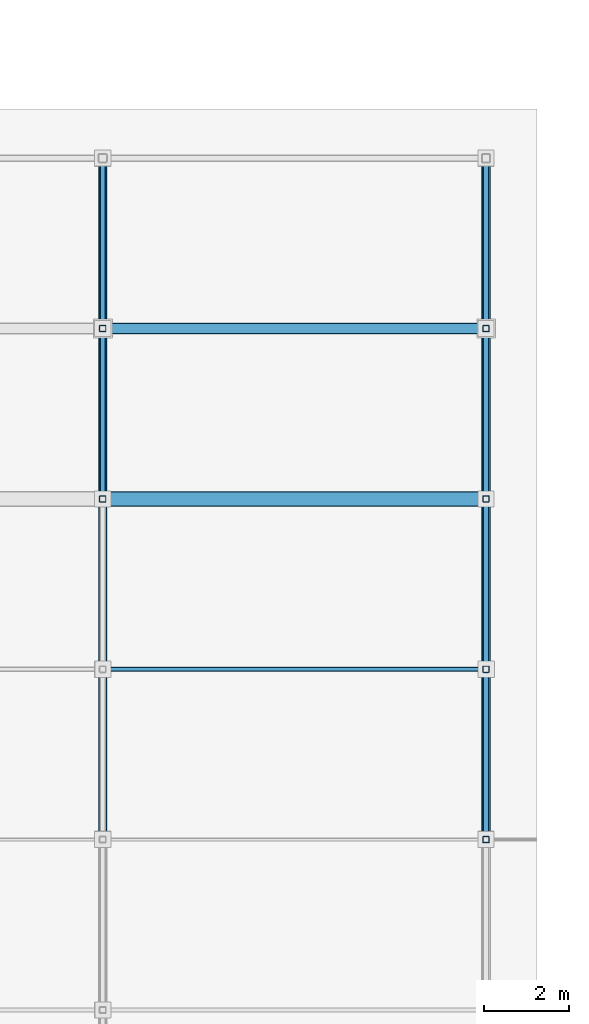
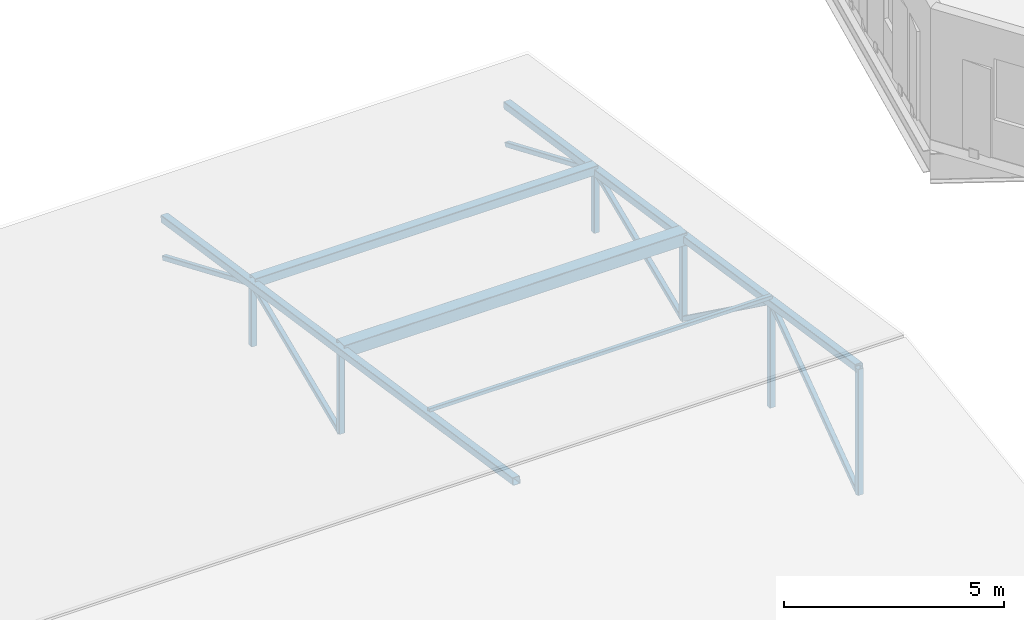
# One storey, part 22 of 118: 15 members, 2 beams.
"""IFC4 building model written with IfcOpenShell, lengths in metres."""

from ifc_helpers import new_model, si_unit, direction, frame, origin, origin_2d, place, context, subcontext, project, spatial, hollow_rectangle, extrude, material, material_profile, profile_set, type_object, element, save


model = new_model("IFC4")

# Units and contexts
model_context = context("Model", 3, precision=1e-05, world=origin(), true_north=direction((0.0, 1.0)))
body_context = subcontext(model_context, "Body", "Model", "MODEL_VIEW")
ifc_project = project(units=[si_unit("LENGTHUNIT", "METRE"), si_unit("AREAUNIT", "SQUARE_METRE"), si_unit("VOLUMEUNIT", "CUBIC_METRE"), si_unit("PLANEANGLEUNIT", "RADIAN"), si_unit("MASSUNIT", "GRAM", prefix="KILO"), si_unit("THERMODYNAMICTEMPERATUREUNIT", "KELVIN"), si_unit("POWERUNIT", "WATT")], contexts=[model_context])

# Site, building, storey
site_placement = place(None, origin())
site = spatial("IfcSite", under=ifc_project, at=site_placement, CompositionType="ELEMENT")
building_placement = place(site_placement, origin())
building = spatial("IfcBuilding", under=site, at=building_placement, Name="Zelmaris Science Centre", CompositionType="ELEMENT")
storey_placement = place(building_placement, frame((0.0, 0.0, 15.60009765625)))
storey = spatial("IfcBuildingStorey", under=building, at=storey_placement, Name="L03", CompositionType="ELEMENT", Elevation=15.60009765625)

# Beams
ifc_material = material(Name="Steel ASTM A500 Grade C", Category="steel")
ifc_material_profile_1 = material_profile(ifc_material, hollow_rectangle(XDim=0.203125, YDim=0.203125, WallThickness=0.01171875, InnerFilletRadius=0.01171875, OuterFilletRadius=0.023681640625, at=origin_2d()), Name="HSS203X203X13")
ifc_profile_set_1 = profile_set([ifc_material_profile_1], Name="Steel ASTM A500 Grade C")
beam_type = type_object("IfcBeamType", Name="Beam G-20 HSS203X203X13", PredefinedType="BEAM", material=ifc_profile_set_1)
for number, where, z_axis, x_axis, name in (
    (1, (45.0, 24.0, 3.3955078125), (0.0, 0.988937238327, -0.148334549755), (-1.0, 0.0, 0.0), "RF-V3 Roof truss 5 north top chord"),
    (2, (54.0, 24.0, 3.3955078125), (0.0, 0.988937238327, -0.148334549755), (-1.0, 0.0, 0.0), "RF-V3 Roof truss 6 north top chord"),
):
    element("IfcBeam", number, at=place(storey_placement, frame(where, z_axis=z_axis, x_axis=x_axis)), inside=storey, type_object=beam_type, Name=name, PredefinedType="BEAM", context=body_context, shape_type="SweptSolid", body=[
        extrude(hollow_rectangle(XDim=0.203125, YDim=0.203125, WallThickness=0.01171875, InnerFilletRadius=0.01171875, OuterFilletRadius=0.023681640625, at=origin_2d()), origin(), (0.0, 0.0, 1.0), 16.178955078125),
    ])

# Members
ifc_material_profile_2 = material_profile(ifc_material, hollow_rectangle(XDim=0.1015625, YDim=0.1015625, WallThickness=0.005859375, InnerFilletRadius=0.005859375, OuterFilletRadius=0.01171875, at=origin_2d()), Name="HSS102X102X6")
ifc_profile_set_2 = profile_set([ifc_material_profile_2], Name="Steel ASTM A500 Grade C")
member_type_1 = type_object("IfcMemberType", Name="Roof Purlin PR-07 HSS102X102X6", PredefinedType="PURLIN", material=ifc_profile_set_2)
member_1_placement = place(storey_placement, frame((45.0, 28.0, 2.94140625), z_axis=(1.0, 0.0, 0.0), x_axis=(0.0, 1.0, 0.0)))
element("IfcMember", 3, at=member_1_placement, inside=storey, type_object=member_type_1, Name="RF-V3 Roof purlin 42", PredefinedType="PURLIN", context=body_context, shape_type="SweptSolid", body=[
    extrude(hollow_rectangle(XDim=0.1015625, YDim=0.1015625, WallThickness=0.005859375, InnerFilletRadius=0.005859375, OuterFilletRadius=0.01171875, at=origin_2d()), origin(), (0.0, 0.0, 1.0), 9.0),
])
ifc_material_profile_3 = material_profile(ifc_material, hollow_rectangle(XDim=0.355712890625, YDim=0.355712890625, WallThickness=0.0146484375, InnerFilletRadius=0.0146484375, OuterFilletRadius=0.029296875, at=origin_2d()), Name="HSS356X356X16")
ifc_profile_set_3 = profile_set([ifc_material_profile_3], Name="Steel ASTM A500 Grade C")
member_type_2 = type_object("IfcMemberType", Name="Roof Purlin PR-08 HSS356X356X16", PredefinedType="PURLIN", material=ifc_profile_set_3)
member_2_placement = place(storey_placement, frame((45.0, 32.0, 2.21435546875), z_axis=(1.0, 0.0, 0.0), x_axis=(0.0, 1.0, 0.0)))
element("IfcMember", 4, at=member_2_placement, inside=storey, type_object=member_type_2, Name="RF-V3 Roof purlin 43", PredefinedType="PURLIN", context=body_context, shape_type="SweptSolid", body=[
    extrude(hollow_rectangle(XDim=0.355712890625, YDim=0.355712890625, WallThickness=0.0146484375, InnerFilletRadius=0.0146484375, OuterFilletRadius=0.029296875, at=origin_2d()), origin(), (0.0, 0.0, 1.0), 9.0),
])
ifc_material_profile_4 = material_profile(ifc_material, hollow_rectangle(XDim=0.25390625, YDim=0.25390625, WallThickness=0.01171875, InnerFilletRadius=0.01171875, OuterFilletRadius=0.023681640625, at=origin_2d()), Name="HSS254X254X13")
ifc_profile_set_4 = profile_set([ifc_material_profile_4], Name="Steel ASTM A500 Grade C")
member_type_3 = type_object("IfcMemberType", Name="Roof Purlin PR-09 HSS254X254X13", PredefinedType="PURLIN", material=ifc_profile_set_4)
member_3_placement = place(storey_placement, frame((45.0, 36.0, 1.665283203125), z_axis=(1.0, 0.0, 0.0), x_axis=(0.0, 1.0, 0.0)))
element("IfcMember", 5, at=member_3_placement, inside=storey, type_object=member_type_3, Name="RF-V3 Roof purlin 44", PredefinedType="PURLIN", context=body_context, shape_type="SweptSolid", body=[
    extrude(hollow_rectangle(XDim=0.25390625, YDim=0.25390625, WallThickness=0.01171875, InnerFilletRadius=0.01171875, OuterFilletRadius=0.023681640625, at=origin_2d()), origin(), (0.0, 0.0, 1.0), 9.0),
])
ifc_material_profile_5 = material_profile(ifc_material, hollow_rectangle(XDim=0.15234375, YDim=0.15234375, WallThickness=0.0087890625, InnerFilletRadius=0.0087890625, OuterFilletRadius=0.017822265625, at=origin_2d()), Name="HSS152X152X10")
ifc_profile_set_5 = profile_set([ifc_material_profile_5], Name="Steel ASTM A500 Grade C")
member_type_4 = type_object("IfcMemberType", Name="Structural Brace BR-03 HSS152X152X10", PredefinedType="BRACE", material=ifc_profile_set_5)
member_4_placement = place(storey_placement, frame((45.0, 32.0, -0.1044921875), z_axis=(0.0, 0.0, 1.0), x_axis=(1.0, 0.0, 0.0)))
element("IfcMember", 6, at=member_4_placement, inside=storey, type_object=member_type_4, Name="RF-V3 Roof truss 5 vertical web 6", PredefinedType="BRACE", context=body_context, shape_type="SweptSolid", body=[
    extrude(hollow_rectangle(XDim=0.15234375, YDim=0.15234375, WallThickness=0.0087890625, InnerFilletRadius=0.0087890625, OuterFilletRadius=0.017822265625, at=origin_2d()), origin(), (0.0, 0.0, 1.0), 2.300048828125),
])
member_5_placement = place(storey_placement, frame((45.0, 36.0, -0.1044921875), z_axis=(0.0, 0.0, 1.0), x_axis=(1.0, 0.0, 0.0)))
element("IfcMember", 7, at=member_5_placement, inside=storey, type_object=member_type_4, Name="RF-V3 Roof truss 5 vertical web 7", PredefinedType="BRACE", context=body_context, shape_type="SweptSolid", body=[
    extrude(hollow_rectangle(XDim=0.15234375, YDim=0.15234375, WallThickness=0.0087890625, InnerFilletRadius=0.0087890625, OuterFilletRadius=0.017822265625, at=origin_2d()), origin(), (0.0, 0.0, 1.0), 1.7001953125),
])
member_6_placement = place(storey_placement, frame((54.0, 24.0, -0.1044921875), z_axis=(0.0, 0.0, 1.0), x_axis=(1.0, 0.0, 0.0)))
element("IfcMember", 8, at=member_6_placement, inside=storey, type_object=member_type_4, Name="RF-V3 Roof truss 6 vertical web 4", PredefinedType="BRACE", context=body_context, shape_type="SweptSolid", body=[
    extrude(hollow_rectangle(XDim=0.15234375, YDim=0.15234375, WallThickness=0.0087890625, InnerFilletRadius=0.0087890625, OuterFilletRadius=0.017822265625, at=origin_2d()), origin(), (0.0, 0.0, 1.0), 3.5),
])
member_7_placement = place(storey_placement, frame((54.0, 28.0, -0.1044921875), z_axis=(0.0, 0.0, 1.0), x_axis=(1.0, 0.0, 0.0)))
element("IfcMember", 9, at=member_7_placement, inside=storey, type_object=member_type_4, Name="RF-V3 Roof truss 6 vertical web 5", PredefinedType="BRACE", context=body_context, shape_type="SweptSolid", body=[
    extrude(hollow_rectangle(XDim=0.15234375, YDim=0.15234375, WallThickness=0.0087890625, InnerFilletRadius=0.0087890625, OuterFilletRadius=0.017822265625, at=origin_2d()), origin(), (0.0, 0.0, 1.0), 2.900146484375),
])
member_8_placement = place(storey_placement, frame((54.0, 32.0, -0.1044921875), z_axis=(0.0, 0.0, 1.0), x_axis=(1.0, 0.0, 0.0)))
element("IfcMember", 10, at=member_8_placement, inside=storey, type_object=member_type_4, Name="RF-V3 Roof truss 6 vertical web 6", PredefinedType="BRACE", context=body_context, shape_type="SweptSolid", body=[
    extrude(hollow_rectangle(XDim=0.15234375, YDim=0.15234375, WallThickness=0.0087890625, InnerFilletRadius=0.0087890625, OuterFilletRadius=0.017822265625, at=origin_2d()), origin(), (0.0, 0.0, 1.0), 2.300048828125),
])
member_9_placement = place(storey_placement, frame((54.0, 36.0, -0.1044921875), z_axis=(0.0, 0.0, 1.0), x_axis=(1.0, 0.0, 0.0)))
element("IfcMember", 11, at=member_9_placement, inside=storey, type_object=member_type_4, Name="RF-V3 Roof truss 6 vertical web 7", PredefinedType="BRACE", context=body_context, shape_type="SweptSolid", body=[
    extrude(hollow_rectangle(XDim=0.15234375, YDim=0.15234375, WallThickness=0.0087890625, InnerFilletRadius=0.0087890625, OuterFilletRadius=0.017822265625, at=origin_2d()), origin(), (0.0, 0.0, 1.0), 1.7001953125),
])
ifc_material_profile_6 = material_profile(ifc_material, hollow_rectangle(XDim=0.126953125, YDim=0.126953125, WallThickness=0.00732421875, InnerFilletRadius=0.00732421875, OuterFilletRadius=0.014892578125, at=origin_2d()), Name="HSS127X127X8")
ifc_profile_set_6 = profile_set([ifc_material_profile_6], Name="Steel ASTM A500 Grade C")
member_type_5 = type_object("IfcMemberType", Name="Structural Brace BR-04 HSS127X127X8", PredefinedType="BRACE", material=ifc_profile_set_6)
for number, where, z_axis, x_axis, name in (
    (12, (45.0, 32.0, -0.1044921875), (0.0, 0.920314741215, 0.39117870226), (-1.0, 0.0, 0.0), "RF-V3 Roof truss 5 web diagonal 7"),
    (13, (45.0, 36.0, 1.595703125), (0.0, 0.920314741215, -0.39117870226), (-1.0, 0.0, 0.0), "RF-V3 Roof truss 5 web diagonal 8"),
):
    element("IfcMember", number, at=place(storey_placement, frame(where, z_axis=z_axis, x_axis=x_axis)), inside=storey, type_object=member_type_5, Name=name, PredefinedType="BRACE", context=body_context, shape_type="SweptSolid", body=[
        extrude(hollow_rectangle(XDim=0.126953125, YDim=0.126953125, WallThickness=0.00732421875, InnerFilletRadius=0.00732421875, OuterFilletRadius=0.014892578125, at=origin_2d()), origin(), (0.0, 0.0, 1.0), 4.346435546875),
    ])
for number, where, z_axis, x_axis, name in (
    (14, (54.0, 24.0, -0.1044921875), (0.0, 0.80959635384, 0.586987004838), (-1.0, 0.0, 0.0), "RF-V3 Roof truss 6 web diagonal 5"),
    (15, (54.0, 28.0, 2.795654296875), (0.0, 0.80959635384, -0.586987004838), (-1.0, 0.0, 0.0), "RF-V3 Roof truss 6 web diagonal 6"),
):
    element("IfcMember", number, at=place(storey_placement, frame(where, z_axis=z_axis, x_axis=x_axis)), inside=storey, type_object=member_type_5, Name=name, PredefinedType="BRACE", context=body_context, shape_type="SweptSolid", body=[
        extrude(hollow_rectangle(XDim=0.126953125, YDim=0.126953125, WallThickness=0.00732421875, InnerFilletRadius=0.00732421875, OuterFilletRadius=0.014892578125, at=origin_2d()), origin(), (0.0, 0.0, 1.0), 4.940673828125),
    ])
for number, where, z_axis, x_axis, name in (
    (16, (54.0, 32.0, -0.1044921875), (0.0, 0.920314741215, 0.39117870226), (-1.0, 0.0, 0.0), "RF-V3 Roof truss 6 web diagonal 7"),
    (17, (54.0, 36.0, 1.595703125), (0.0, 0.920314741215, -0.39117870226), (-1.0, 0.0, 0.0), "RF-V3 Roof truss 6 web diagonal 8"),
):
    element("IfcMember", number, at=place(storey_placement, frame(where, z_axis=z_axis, x_axis=x_axis)), inside=storey, type_object=member_type_5, Name=name, PredefinedType="BRACE", context=body_context, shape_type="SweptSolid", body=[
        extrude(hollow_rectangle(XDim=0.126953125, YDim=0.126953125, WallThickness=0.00732421875, InnerFilletRadius=0.00732421875, OuterFilletRadius=0.014892578125, at=origin_2d()), origin(), (0.0, 0.0, 1.0), 4.346435546875),
    ])

save(model, "model.ifc")
